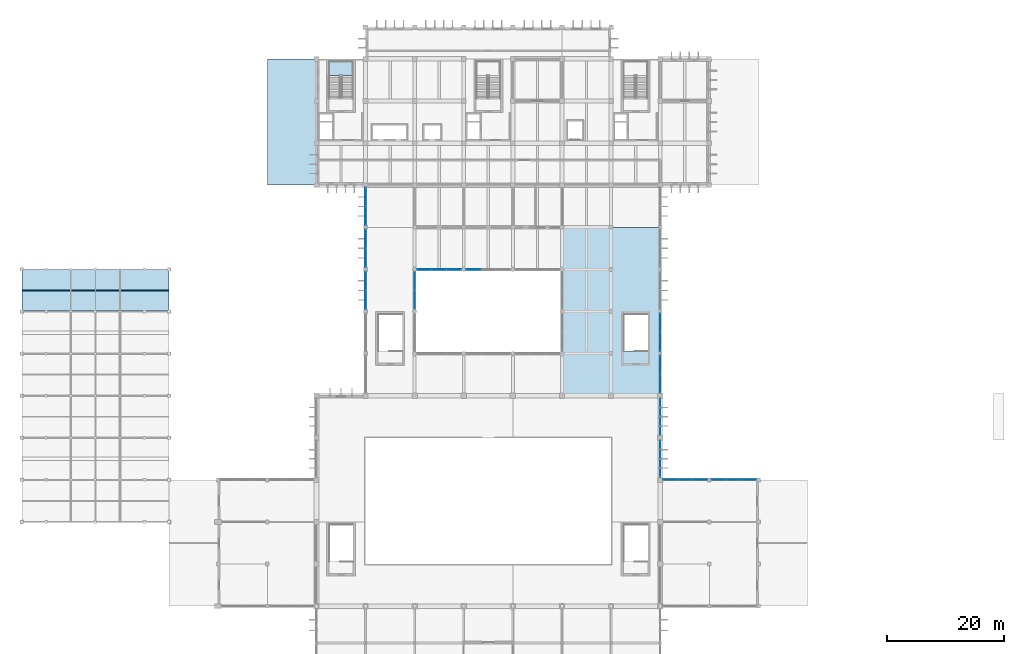
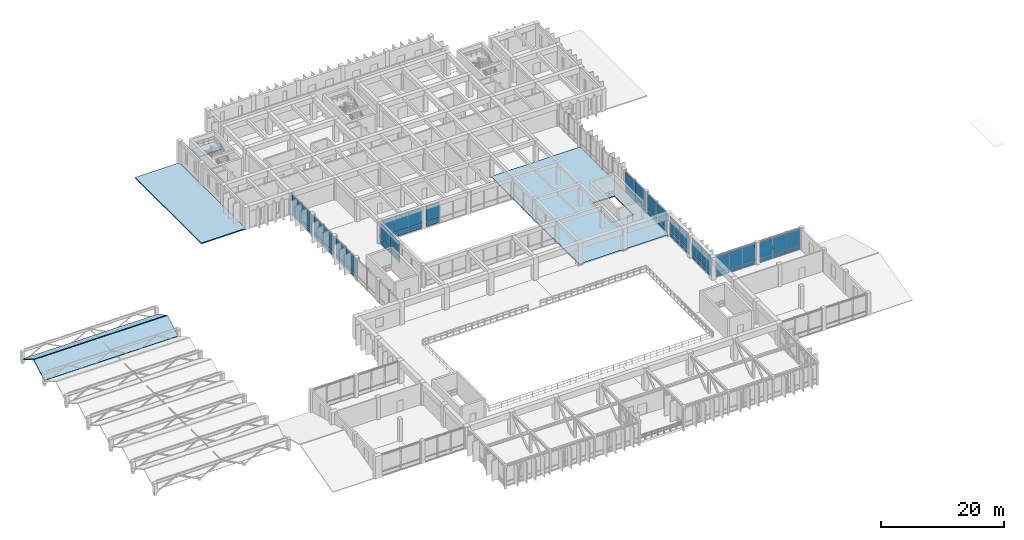
# One storey, part 23 of 40: 52 plates, 5 slabs, 13 elements without a shape of their own.
"""IFC4 building model written with IfcOpenShell, lengths in metres."""

from ifc_helpers import new_model, si_unit, direction, frame, origin, origin_2d, place, context, subcontext, project, spatial, polyline, rectangle, outline, extrude, material, layer, layer_set, type_object, element, aggregate, save


model = new_model("IFC4")

# Units and contexts
model_context = context("Model", 3, precision=1e-05, world=origin(), true_north=direction((0.0, 1.0)))
body_context = subcontext(model_context, "Body", "Model", "MODEL_VIEW")
ifc_project = project(units=[si_unit("LENGTHUNIT", "METRE"), si_unit("AREAUNIT", "SQUARE_METRE"), si_unit("VOLUMEUNIT", "CUBIC_METRE"), si_unit("PLANEANGLEUNIT", "RADIAN"), si_unit("MASSUNIT", "GRAM", prefix="KILO")], contexts=[model_context])

# Site, building, storey
site_placement = place(None, origin())
site = spatial("IfcSite", under=ifc_project, at=site_placement, CompositionType="ELEMENT")
building_placement = place(site_placement, origin())
building = spatial("IfcBuilding", under=site, at=building_placement, Name="Kenerak Square Central Library", CompositionType="ELEMENT")
storey_placement = place(building_placement, frame((0.0, 0.0, 14.39990234375)))
storey = spatial("IfcBuildingStorey", under=building, at=storey_placement, Name="L03", CompositionType="ELEMENT", Elevation=14.39990234375)

# Curtain wall, plates
ifc_material_1 = material(Name="Intumescent fire-resisting glazing EI 60", Category="glass")
curtain_wall_type_1 = type_object("IfcCurtainWallType", Name="Curtain Wall CW-AT60-76x42 7650x4230", PredefinedType="USERDEFINED", material=ifc_material_1)
curtain_wall_1_placement = place(storey_placement, origin())
curtain_wall_1 = element("IfcCurtainWall", 1, at=curtain_wall_1_placement, inside=storey, type_object=curtain_wall_type_1, Name="Atrium Fire-Rated Glazed Screen CW-AT60-76x42 L03 0173", ObjectType="CURTAIN WALL", PredefinedType="USERDEFINED")
ifc_layer_1 = layer(ifc_material_1, 0.0419921875)
ifc_layer_set_1 = layer_set([ifc_layer_1], Name="Intumescent fire-resisting glazing EI 60")
plate_type_1 = type_object("IfcPlateType", Name="Fire-Rated EI60 Atrium Glazing Panel CP-42", PredefinedType="CURTAIN_PANEL", material=ifc_layer_set_1)
plate_1_placement = place(storey_placement, frame((85.267578125, 74.39990234375, 0.06982421875), z_axis=(0.0, 0.0, 1.0), x_axis=(-1.0, 0.0, 0.0)))
plate_1 = element("IfcPlate", 2, at=plate_1_placement, type_object=plate_type_1, Name="CW-AT60-76x42 Panel 3.1", PredefinedType="CURTAIN_PANEL", context=body_context, shape_type="SweptSolid", body=[
    extrude(rectangle(XDim=2.445068359375, YDim=0.0419921875, at=origin_2d()), origin(), (0.0, 0.0, 1.0), 0.945068359375),
])
plate_2_placement = place(storey_placement, frame((85.267578125, 74.39990234375, 1.0849609375), z_axis=(0.0, 0.0, 1.0), x_axis=(-1.0, 0.0, 0.0)))
plate_2 = element("IfcPlate", 3, at=plate_2_placement, type_object=plate_type_1, Name="CW-AT60-76x42 Panel 3.2", PredefinedType="CURTAIN_PANEL", context=body_context, shape_type="SweptSolid", body=[
    extrude(rectangle(XDim=2.445068359375, YDim=0.0419921875, at=origin_2d()), origin(), (0.0, 0.0, 1.0), 3.074951171875),
])
aggregate(curtain_wall_1, [plate_1, plate_2])

curtain_wall_2_placement = place(storey_placement, origin())
curtain_wall_2 = element("IfcCurtainWall", 4, at=curtain_wall_2_placement, inside=storey, type_object=curtain_wall_type_1, Name="Atrium Fire-Rated Glazed Screen CW-AT60-76x42 L03 0174", ObjectType="CURTAIN WALL", PredefinedType="USERDEFINED")
plate_3_placement = place(storey_placement, frame((81.9326171875, 74.39990234375, 0.06982421875), z_axis=(0.0, 0.0, 1.0), x_axis=(-1.0, 0.0, 0.0)))
plate_3 = element("IfcPlate", 5, at=plate_3_placement, type_object=plate_type_1, Name="CW-AT60-76x42 Panel 1.1", PredefinedType="CURTAIN_PANEL", context=body_context, shape_type="SweptSolid", body=[
    extrude(rectangle(XDim=2.445068359375, YDim=0.0419921875, at=origin_2d()), origin(), (0.0, 0.0, 1.0), 0.945068359375),
])
plate_4_placement = place(storey_placement, frame((81.9326171875, 74.39990234375, 1.0849609375), z_axis=(0.0, 0.0, 1.0), x_axis=(-1.0, 0.0, 0.0)))
plate_4 = element("IfcPlate", 6, at=plate_4_placement, type_object=plate_type_1, Name="CW-AT60-76x42 Panel 1.2", PredefinedType="CURTAIN_PANEL", context=body_context, shape_type="SweptSolid", body=[
    extrude(rectangle(XDim=2.445068359375, YDim=0.0419921875, at=origin_2d()), origin(), (0.0, 0.0, 1.0), 3.074951171875),
])
plate_5_placement = place(storey_placement, frame((79.39990234375, 74.39990234375, 0.06982421875), z_axis=(0.0, 0.0, 1.0), x_axis=(-1.0, 0.0, 0.0)))
plate_5 = element("IfcPlate", 7, at=plate_5_placement, type_object=plate_type_1, Name="CW-AT60-76x42 Panel 2.1", PredefinedType="CURTAIN_PANEL", context=body_context, shape_type="SweptSolid", body=[
    extrude(rectangle(XDim=2.47998046875, YDim=0.0419921875, at=origin_2d()), origin(), (0.0, 0.0, 1.0), 0.945068359375),
])
plate_6_placement = place(storey_placement, frame((79.39990234375, 74.39990234375, 1.0849609375), z_axis=(0.0, 0.0, 1.0), x_axis=(-1.0, 0.0, 0.0)))
plate_6 = element("IfcPlate", 8, at=plate_6_placement, type_object=plate_type_1, Name="CW-AT60-76x42 Panel 2.2", PredefinedType="CURTAIN_PANEL", context=body_context, shape_type="SweptSolid", body=[
    extrude(rectangle(XDim=2.47998046875, YDim=0.0419921875, at=origin_2d()), origin(), (0.0, 0.0, 1.0), 3.074951171875),
])
plate_7_placement = place(storey_placement, frame((76.867431640625, 74.39990234375, 0.06982421875), z_axis=(0.0, 0.0, 1.0), x_axis=(-1.0, 0.0, 0.0)))
plate_7 = element("IfcPlate", 9, at=plate_7_placement, type_object=plate_type_1, Name="CW-AT60-76x42 Panel 3.1", PredefinedType="CURTAIN_PANEL", context=body_context, shape_type="SweptSolid", body=[
    extrude(rectangle(XDim=2.445068359375, YDim=0.0419921875, at=origin_2d()), origin(), (0.0, 0.0, 1.0), 0.945068359375),
])
plate_8_placement = place(storey_placement, frame((76.867431640625, 74.39990234375, 1.0849609375), z_axis=(0.0, 0.0, 1.0), x_axis=(-1.0, 0.0, 0.0)))
plate_8 = element("IfcPlate", 10, at=plate_8_placement, type_object=plate_type_1, Name="CW-AT60-76x42 Panel 3.2", PredefinedType="CURTAIN_PANEL", context=body_context, shape_type="SweptSolid", body=[
    extrude(rectangle(XDim=2.445068359375, YDim=0.0419921875, at=origin_2d()), origin(), (0.0, 0.0, 1.0), 3.074951171875),
])
aggregate(curtain_wall_2, [plate_3, plate_4, plate_5, plate_6, plate_7, plate_8])

curtain_wall_type_2 = type_object("IfcCurtainWallType", Name="Curtain Wall CW-AT60-64x42 6450x4230", PredefinedType="USERDEFINED", material=ifc_material_1)
curtain_wall_3_placement = place(storey_placement, origin())
curtain_wall_3 = element("IfcCurtainWall", 11, at=curtain_wall_3_placement, inside=storey, type_object=curtain_wall_type_2, Name="Atrium Fire-Rated Glazed Screen CW-AT60-64x42 L03 0175", ObjectType="CURTAIN WALL", PredefinedType="USERDEFINED")
plate_9_placement = place(storey_placement, frame((75.199951171875, 72.39501953125, 0.06982421875), z_axis=(0.0, 0.0, 1.0), x_axis=(0.0, -1.0, 0.0)))
plate_9 = element("IfcPlate", 12, at=plate_9_placement, type_object=plate_type_1, Name="CW-AT60-64x42 Panel 1.1", PredefinedType="CURTAIN_PANEL", context=body_context, shape_type="SweptSolid", body=[
    extrude(rectangle(XDim=3.1201171875, YDim=0.0419921875, at=origin_2d()), origin(), (0.0, 0.0, 1.0), 0.945068359375),
])
plate_10_placement = place(storey_placement, frame((75.199951171875, 72.39501953125, 1.0849609375), z_axis=(0.0, 0.0, 1.0), x_axis=(0.0, -1.0, 0.0)))
plate_10 = element("IfcPlate", 13, at=plate_10_placement, type_object=plate_type_1, Name="CW-AT60-64x42 Panel 1.2", PredefinedType="CURTAIN_PANEL", context=body_context, shape_type="SweptSolid", body=[
    extrude(rectangle(XDim=3.1201171875, YDim=0.0419921875, at=origin_2d()), origin(), (0.0, 0.0, 1.0), 3.074951171875),
])
plate_11_placement = place(storey_placement, frame((75.199951171875, 69.205078125, 0.06982421875), z_axis=(0.0, 0.0, 1.0), x_axis=(0.0, -1.0, 0.0)))
plate_11 = element("IfcPlate", 14, at=plate_11_placement, type_object=plate_type_1, Name="CW-AT60-64x42 Panel 2.1", PredefinedType="CURTAIN_PANEL", context=body_context, shape_type="SweptSolid", body=[
    extrude(rectangle(XDim=3.1201171875, YDim=0.0419921875, at=origin_2d()), origin(), (0.0, 0.0, 1.0), 0.945068359375),
])
plate_12_placement = place(storey_placement, frame((75.199951171875, 69.205078125, 1.0849609375), z_axis=(0.0, 0.0, 1.0), x_axis=(0.0, -1.0, 0.0)))
plate_12 = element("IfcPlate", 15, at=plate_12_placement, type_object=plate_type_1, Name="CW-AT60-64x42 Panel 2.2", PredefinedType="CURTAIN_PANEL", context=body_context, shape_type="SweptSolid", body=[
    extrude(rectangle(XDim=3.1201171875, YDim=0.0419921875, at=origin_2d()), origin(), (0.0, 0.0, 1.0), 3.074951171875),
])
aggregate(curtain_wall_3, [plate_9, plate_10, plate_11, plate_12])

# Slabs
ifc_material_2 = material(Name="Concrete C40/50", Category="concrete")
ifc_layer_2 = layer(ifc_material_2, 0.22509765625)
ifc_layer_set_2 = layer_set([ifc_layer_2], Name="Concrete C40/50")
slab_type_1 = type_object("IfcSlabType", Name="General Reading Room Slab FS-225 C40/50", PredefinedType="FLOOR", material=ifc_layer_set_2)
slab_1_placement = place(storey_placement, frame((0.0, 0.0, -0.224853515625)))
element("IfcSlab", 16, at=slab_1_placement, inside=storey, type_object=slab_type_1, Name="V4 Floor Slab L03 050", PredefinedType="FLOOR", context=body_context, shape_type="SweptSolid", body=[
    extrude(outline(polyline([(100.39990234375, 81.60009765625), (117.199951171875, 81.60009765625), (117.199951171875, 52.800048828125), (100.39990234375, 52.800048828125), (100.39990234375, 60.0), (100.39990234375, 74.39990234375), (100.39990234375, 81.60009765625)]), holes=[polyline([(115.080078125, 60.449951171875), (115.080078125, 66.800048828125), (110.919921875, 66.800048828125), (110.919921875, 60.449951171875), (115.080078125, 60.449951171875)])]), origin(), (0.0, 0.0, 1.0), 0.224853515625),
])
ifc_layer_3 = layer(ifc_material_2, 0.199951171875)
ifc_layer_set_3 = layer_set([ifc_layer_3], Name="Concrete C40/50")
slab_type_2 = type_object("IfcSlabType", Name="Heavyweight Stack Flat Roof Slab RS-200 C40/50", PredefinedType="ROOF", material=ifc_layer_set_3)
slab_2_placement = place(storey_placement, frame((0.0, 0.0, -0.199951171875)))
element("IfcSlab", 17, at=slab_2_placement, inside=storey, type_object=slab_type_2, Name="Stepped Stack Roof V5-L03-W", PredefinedType="ROOF", context=body_context, shape_type="SweptSolid", body=[
    extrude(outline(polyline([(50.0, 88.800048828125), (58.35009765625, 88.800048828125), (58.35009765625, 110.39990234375), (50.0, 110.39990234375), (50.0, 88.800048828125)])), origin(), (0.0, 0.0, 1.0), 0.199951171875),
])

# Curtain wall, plates
ifc_material_3 = material(Name="Anodised aluminium and solar-control low-E glazing", Category="aluminium")
curtain_wall_type_3 = type_object("IfcCurtainWallType", Name="Curtain Wall CW-V4-65x42 6550x4230", PredefinedType="USERDEFINED", material=ifc_material_3)
curtain_wall_4_placement = place(storey_placement, origin())
curtain_wall_4 = element("IfcCurtainWall", 18, at=curtain_wall_4_placement, inside=storey, type_object=curtain_wall_type_3, Name="Curtain Wall CW-V4-65x42 L03 0113", ObjectType="CURTAIN WALL", PredefinedType="USERDEFINED")
ifc_material_4 = material(Name="Solar-control low-E laminated double glazing", Category="glass")
ifc_layer_4 = layer(ifc_material_4, 0.02392578125)
ifc_layer_set_4 = layer_set([ifc_layer_4], Name="Solar-control low-E laminated double glazing")
plate_type_2 = type_object("IfcPlateType", Name="Low-E Double Glazed Curtain Panel CP-24", PredefinedType="CURTAIN_PANEL", material=ifc_layer_set_4)
plate_13_placement = place(storey_placement, frame((66.800048828125, 69.1787109375, 0.06494140625), z_axis=(0.0, 0.0, 1.0), x_axis=(0.0, 1.0, 0.0)))
plate_13 = element("IfcPlate", 19, at=plate_13_placement, type_object=plate_type_2, Name="CW-V4-65x42 Panel 1.1", PredefinedType="CURTAIN_PANEL", context=body_context, shape_type="SweptSolid", body=[
    extrude(rectangle(XDim=3.177490234375, YDim=0.02392578125, at=origin_2d()), origin(), (0.0, 0.0, 1.0), 0.802490234375),
])
plate_14_placement = place(storey_placement, frame((66.800048828125, 69.1787109375, 0.9326171875), z_axis=(0.0, 0.0, 1.0), x_axis=(0.0, 1.0, 0.0)))
plate_14 = element("IfcPlate", 20, at=plate_14_placement, type_object=plate_type_2, Name="CW-V4-65x42 Panel 1.2", PredefinedType="CURTAIN_PANEL", context=body_context, shape_type="SweptSolid", body=[
    extrude(rectangle(XDim=3.177490234375, YDim=0.02392578125, at=origin_2d()), origin(), (0.0, 0.0, 1.0), 3.232421875),
])
plate_15_placement = place(storey_placement, frame((66.800048828125, 72.421142578125, 0.06494140625), z_axis=(0.0, 0.0, 1.0), x_axis=(0.0, 1.0, 0.0)))
plate_15 = element("IfcPlate", 21, at=plate_15_placement, type_object=plate_type_2, Name="CW-V4-65x42 Panel 2.1", PredefinedType="CURTAIN_PANEL", context=body_context, shape_type="SweptSolid", body=[
    extrude(rectangle(XDim=3.177490234375, YDim=0.02392578125, at=origin_2d()), origin(), (0.0, 0.0, 1.0), 0.802490234375),
])
plate_16_placement = place(storey_placement, frame((66.800048828125, 72.421142578125, 0.9326171875), z_axis=(0.0, 0.0, 1.0), x_axis=(0.0, 1.0, 0.0)))
plate_16 = element("IfcPlate", 22, at=plate_16_placement, type_object=plate_type_2, Name="CW-V4-65x42 Panel 2.2", PredefinedType="CURTAIN_PANEL", context=body_context, shape_type="SweptSolid", body=[
    extrude(rectangle(XDim=3.177490234375, YDim=0.02392578125, at=origin_2d()), origin(), (0.0, 0.0, 1.0), 3.232421875),
])
aggregate(curtain_wall_4, [plate_13, plate_14, plate_15, plate_16])

curtain_wall_5_placement = place(storey_placement, origin())
curtain_wall_5 = element("IfcCurtainWall", 23, at=curtain_wall_5_placement, inside=storey, type_object=curtain_wall_type_3, Name="Curtain Wall CW-V4-65x42 L03 0114", ObjectType="CURTAIN WALL", PredefinedType="USERDEFINED")
plate_17_placement = place(storey_placement, frame((66.800048828125, 76.378662109375, 0.06494140625), z_axis=(0.0, 0.0, 1.0), x_axis=(0.0, 1.0, 0.0)))
plate_17 = element("IfcPlate", 24, at=plate_17_placement, type_object=plate_type_2, Name="CW-V4-65x42 Panel 1.1", PredefinedType="CURTAIN_PANEL", context=body_context, shape_type="SweptSolid", body=[
    extrude(rectangle(XDim=3.177490234375, YDim=0.02392578125, at=origin_2d()), origin(), (0.0, 0.0, 1.0), 0.802490234375),
])
plate_18_placement = place(storey_placement, frame((66.800048828125, 76.378662109375, 0.9326171875), z_axis=(0.0, 0.0, 1.0), x_axis=(0.0, 1.0, 0.0)))
plate_18 = element("IfcPlate", 25, at=plate_18_placement, type_object=plate_type_2, Name="CW-V4-65x42 Panel 1.2", PredefinedType="CURTAIN_PANEL", context=body_context, shape_type="SweptSolid", body=[
    extrude(rectangle(XDim=3.177490234375, YDim=0.02392578125, at=origin_2d()), origin(), (0.0, 0.0, 1.0), 3.232421875),
])
plate_19_placement = place(storey_placement, frame((66.800048828125, 79.621337890625, 0.06494140625), z_axis=(0.0, 0.0, 1.0), x_axis=(0.0, 1.0, 0.0)))
plate_19 = element("IfcPlate", 26, at=plate_19_placement, type_object=plate_type_2, Name="CW-V4-65x42 Panel 2.1", PredefinedType="CURTAIN_PANEL", context=body_context, shape_type="SweptSolid", body=[
    extrude(rectangle(XDim=3.177490234375, YDim=0.02392578125, at=origin_2d()), origin(), (0.0, 0.0, 1.0), 0.802490234375),
])
plate_20_placement = place(storey_placement, frame((66.800048828125, 79.621337890625, 0.9326171875), z_axis=(0.0, 0.0, 1.0), x_axis=(0.0, 1.0, 0.0)))
plate_20 = element("IfcPlate", 27, at=plate_20_placement, type_object=plate_type_2, Name="CW-V4-65x42 Panel 2.2", PredefinedType="CURTAIN_PANEL", context=body_context, shape_type="SweptSolid", body=[
    extrude(rectangle(XDim=3.177490234375, YDim=0.02392578125, at=origin_2d()), origin(), (0.0, 0.0, 1.0), 3.232421875),
])
aggregate(curtain_wall_5, [plate_17, plate_18, plate_19, plate_20])

curtain_wall_type_4 = type_object("IfcCurtainWallType", Name="Curtain Wall CW-V4-64x42 6475x4230", PredefinedType="USERDEFINED", material=ifc_material_3)
curtain_wall_6_placement = place(storey_placement, origin())
curtain_wall_6 = element("IfcCurtainWall", 28, at=curtain_wall_6_placement, inside=storey, type_object=curtain_wall_type_4, Name="Curtain Wall CW-V4-64x42 L03 0115", ObjectType="CURTAIN WALL", PredefinedType="USERDEFINED")
plate_21_placement = place(storey_placement, frame((66.800048828125, 83.56005859375, 0.06494140625), z_axis=(0.0, 0.0, 1.0), x_axis=(0.0, 1.0, 0.0)))
plate_21 = element("IfcPlate", 29, at=plate_21_placement, type_object=plate_type_2, Name="CW-V4-64x42 Panel 1.1", PredefinedType="CURTAIN_PANEL", context=body_context, shape_type="SweptSolid", body=[
    extrude(rectangle(XDim=3.139892578125, YDim=0.02392578125, at=origin_2d()), origin(), (0.0, 0.0, 1.0), 0.802490234375),
])
plate_22_placement = place(storey_placement, frame((66.800048828125, 83.56005859375, 0.9326171875), z_axis=(0.0, 0.0, 1.0), x_axis=(0.0, 1.0, 0.0)))
plate_22 = element("IfcPlate", 30, at=plate_22_placement, type_object=plate_type_2, Name="CW-V4-64x42 Panel 1.2", PredefinedType="CURTAIN_PANEL", context=body_context, shape_type="SweptSolid", body=[
    extrude(rectangle(XDim=3.139892578125, YDim=0.02392578125, at=origin_2d()), origin(), (0.0, 0.0, 1.0), 3.232421875),
])
plate_23_placement = place(storey_placement, frame((66.800048828125, 86.764892578125, 0.06494140625), z_axis=(0.0, 0.0, 1.0), x_axis=(0.0, 1.0, 0.0)))
plate_23 = element("IfcPlate", 31, at=plate_23_placement, type_object=plate_type_2, Name="CW-V4-64x42 Panel 2.1", PredefinedType="CURTAIN_PANEL", context=body_context, shape_type="SweptSolid", body=[
    extrude(rectangle(XDim=3.139892578125, YDim=0.02392578125, at=origin_2d()), origin(), (0.0, 0.0, 1.0), 0.802490234375),
])
plate_24_placement = place(storey_placement, frame((66.800048828125, 86.764892578125, 0.9326171875), z_axis=(0.0, 0.0, 1.0), x_axis=(0.0, 1.0, 0.0)))
plate_24 = element("IfcPlate", 32, at=plate_24_placement, type_object=plate_type_2, Name="CW-V4-64x42 Panel 2.2", PredefinedType="CURTAIN_PANEL", context=body_context, shape_type="SweptSolid", body=[
    extrude(rectangle(XDim=3.139892578125, YDim=0.02392578125, at=origin_2d()), origin(), (0.0, 0.0, 1.0), 3.232421875),
])
aggregate(curtain_wall_6, [plate_21, plate_22, plate_23, plate_24])

curtain_wall_7_placement = place(storey_placement, origin())
curtain_wall_7 = element("IfcCurtainWall", 33, at=curtain_wall_7_placement, inside=storey, type_object=curtain_wall_type_3, Name="Curtain Wall CW-V4-65x42 L03 0119", ObjectType="CURTAIN WALL", PredefinedType="USERDEFINED")
plate_25_placement = place(storey_placement, frame((117.199951171875, 65.22119140625, 0.06494140625), z_axis=(0.0, 0.0, 1.0), x_axis=(0.0, -1.0, 0.0)))
plate_25 = element("IfcPlate", 34, at=plate_25_placement, type_object=plate_type_2, Name="CW-V4-65x42 Panel 1.1", PredefinedType="CURTAIN_PANEL", context=body_context, shape_type="SweptSolid", body=[
    extrude(rectangle(XDim=3.177490234375, YDim=0.02392578125, at=origin_2d()), origin(), (0.0, 0.0, 1.0), 0.802490234375),
])
plate_26_placement = place(storey_placement, frame((117.199951171875, 65.22119140625, 0.9326171875), z_axis=(0.0, 0.0, 1.0), x_axis=(0.0, -1.0, 0.0)))
plate_26 = element("IfcPlate", 35, at=plate_26_placement, type_object=plate_type_2, Name="CW-V4-65x42 Panel 1.2", PredefinedType="CURTAIN_PANEL", context=body_context, shape_type="SweptSolid", body=[
    extrude(rectangle(XDim=3.177490234375, YDim=0.02392578125, at=origin_2d()), origin(), (0.0, 0.0, 1.0), 3.232421875),
])
plate_27_placement = place(storey_placement, frame((117.199951171875, 61.978759765625, 0.06494140625), z_axis=(0.0, 0.0, 1.0), x_axis=(0.0, -1.0, 0.0)))
plate_27 = element("IfcPlate", 36, at=plate_27_placement, type_object=plate_type_2, Name="CW-V4-65x42 Panel 2.1", PredefinedType="CURTAIN_PANEL", context=body_context, shape_type="SweptSolid", body=[
    extrude(rectangle(XDim=3.177490234375, YDim=0.02392578125, at=origin_2d()), origin(), (0.0, 0.0, 1.0), 0.802490234375),
])
plate_28_placement = place(storey_placement, frame((117.199951171875, 61.978759765625, 0.9326171875), z_axis=(0.0, 0.0, 1.0), x_axis=(0.0, -1.0, 0.0)))
plate_28 = element("IfcPlate", 37, at=plate_28_placement, type_object=plate_type_2, Name="CW-V4-65x42 Panel 2.2", PredefinedType="CURTAIN_PANEL", context=body_context, shape_type="SweptSolid", body=[
    extrude(rectangle(XDim=3.177490234375, YDim=0.02392578125, at=origin_2d()), origin(), (0.0, 0.0, 1.0), 3.232421875),
])
aggregate(curtain_wall_7, [plate_25, plate_26, plate_27, plate_28])

curtain_wall_type_5 = type_object("IfcCurtainWallType", Name="Curtain Wall CW-V4-64x42 6425x4230", PredefinedType="USERDEFINED", material=ifc_material_3)
curtain_wall_8_placement = place(storey_placement, origin())
curtain_wall_8 = element("IfcCurtainWall", 38, at=curtain_wall_8_placement, inside=storey, type_object=curtain_wall_type_5, Name="Curtain Wall CW-V4-64x42 L03 0120", ObjectType="CURTAIN WALL", PredefinedType="USERDEFINED")
plate_29_placement = place(storey_placement, frame((117.199951171875, 58.052490234375, 0.06494140625), z_axis=(0.0, 0.0, 1.0), x_axis=(0.0, -1.0, 0.0)))
plate_29 = element("IfcPlate", 39, at=plate_29_placement, type_object=plate_type_2, Name="CW-V4-64x42 Panel 1.1", PredefinedType="CURTAIN_PANEL", context=body_context, shape_type="SweptSolid", body=[
    extrude(rectangle(XDim=3.114990234375, YDim=0.02392578125, at=origin_2d()), origin(), (0.0, 0.0, 1.0), 0.802490234375),
])
plate_30_placement = place(storey_placement, frame((117.199951171875, 58.052490234375, 0.9326171875), z_axis=(0.0, 0.0, 1.0), x_axis=(0.0, -1.0, 0.0)))
plate_30 = element("IfcPlate", 40, at=plate_30_placement, type_object=plate_type_2, Name="CW-V4-64x42 Panel 1.2", PredefinedType="CURTAIN_PANEL", context=body_context, shape_type="SweptSolid", body=[
    extrude(rectangle(XDim=3.114990234375, YDim=0.02392578125, at=origin_2d()), origin(), (0.0, 0.0, 1.0), 3.232421875),
])
plate_31_placement = place(storey_placement, frame((117.199951171875, 54.87255859375, 0.06494140625), z_axis=(0.0, 0.0, 1.0), x_axis=(0.0, -1.0, 0.0)))
plate_31 = element("IfcPlate", 41, at=plate_31_placement, type_object=plate_type_2, Name="CW-V4-64x42 Panel 2.1", PredefinedType="CURTAIN_PANEL", context=body_context, shape_type="SweptSolid", body=[
    extrude(rectangle(XDim=3.114990234375, YDim=0.02392578125, at=origin_2d()), origin(), (0.0, 0.0, 1.0), 0.802490234375),
])
plate_32_placement = place(storey_placement, frame((117.199951171875, 54.87255859375, 0.9326171875), z_axis=(0.0, 0.0, 1.0), x_axis=(0.0, -1.0, 0.0)))
plate_32 = element("IfcPlate", 42, at=plate_32_placement, type_object=plate_type_2, Name="CW-V4-64x42 Panel 2.2", PredefinedType="CURTAIN_PANEL", context=body_context, shape_type="SweptSolid", body=[
    extrude(rectangle(XDim=3.114990234375, YDim=0.02392578125, at=origin_2d()), origin(), (0.0, 0.0, 1.0), 3.232421875),
])
aggregate(curtain_wall_8, [plate_29, plate_30, plate_31, plate_32])

curtain_wall_type_6 = type_object("IfcCurtainWallType", Name="Curtain Wall CW-V6-76x42 7625x4230", PredefinedType="USERDEFINED", material=ifc_material_3)
curtain_wall_9_placement = place(storey_placement, origin())
curtain_wall_9 = element("IfcCurtainWall", 43, at=curtain_wall_9_placement, inside=storey, type_object=curtain_wall_type_6, Name="Curtain Wall CW-V6-76x42 L03 0123", ObjectType="CURTAIN WALL", PredefinedType="USERDEFINED")
plate_33_placement = place(storey_placement, frame((118.93701171875, 38.39990234375, 0.06494140625), z_axis=(0.0, 0.0, 1.0), x_axis=(1.0, 0.0, 0.0)))
plate_33 = element("IfcPlate", 44, at=plate_33_placement, type_object=plate_type_2, Name="CW-V6-76x42 Panel 1.1", PredefinedType="CURTAIN_PANEL", context=body_context, shape_type="SweptSolid", body=[
    extrude(rectangle(XDim=2.444091796875, YDim=0.02392578125, at=origin_2d()), origin(), (0.0, 0.0, 1.0), 0.802490234375),
])
plate_34_placement = place(storey_placement, frame((118.93701171875, 38.39990234375, 0.9326171875), z_axis=(0.0, 0.0, 1.0), x_axis=(1.0, 0.0, 0.0)))
plate_34 = element("IfcPlate", 45, at=plate_34_placement, type_object=plate_type_2, Name="CW-V6-76x42 Panel 1.2", PredefinedType="CURTAIN_PANEL", context=body_context, shape_type="SweptSolid", body=[
    extrude(rectangle(XDim=2.444091796875, YDim=0.02392578125, at=origin_2d()), origin(), (0.0, 0.0, 1.0), 3.232421875),
])
plate_35_placement = place(storey_placement, frame((121.46240234375, 38.39990234375, 0.06494140625), z_axis=(0.0, 0.0, 1.0), x_axis=(1.0, 0.0, 0.0)))
plate_35 = element("IfcPlate", 46, at=plate_35_placement, type_object=plate_type_2, Name="CW-V6-76x42 Panel 2.1", PredefinedType="CURTAIN_PANEL", context=body_context, shape_type="SweptSolid", body=[
    extrude(rectangle(XDim=2.4765625, YDim=0.02392578125, at=origin_2d()), origin(), (0.0, 0.0, 1.0), 0.802490234375),
])
plate_36_placement = place(storey_placement, frame((121.46240234375, 38.39990234375, 0.9326171875), z_axis=(0.0, 0.0, 1.0), x_axis=(1.0, 0.0, 0.0)))
plate_36 = element("IfcPlate", 47, at=plate_36_placement, type_object=plate_type_2, Name="CW-V6-76x42 Panel 2.2", PredefinedType="CURTAIN_PANEL", context=body_context, shape_type="SweptSolid", body=[
    extrude(rectangle(XDim=2.4765625, YDim=0.02392578125, at=origin_2d()), origin(), (0.0, 0.0, 1.0), 3.232421875),
])
plate_37_placement = place(storey_placement, frame((123.988037109375, 38.39990234375, 0.06494140625), z_axis=(0.0, 0.0, 1.0), x_axis=(1.0, 0.0, 0.0)))
plate_37 = element("IfcPlate", 48, at=plate_37_placement, type_object=plate_type_2, Name="CW-V6-76x42 Panel 3.1", PredefinedType="CURTAIN_PANEL", context=body_context, shape_type="SweptSolid", body=[
    extrude(rectangle(XDim=2.444091796875, YDim=0.02392578125, at=origin_2d()), origin(), (0.0, 0.0, 1.0), 0.802490234375),
])
plate_38_placement = place(storey_placement, frame((123.988037109375, 38.39990234375, 0.9326171875), z_axis=(0.0, 0.0, 1.0), x_axis=(1.0, 0.0, 0.0)))
plate_38 = element("IfcPlate", 49, at=plate_38_placement, type_object=plate_type_2, Name="CW-V6-76x42 Panel 3.2", PredefinedType="CURTAIN_PANEL", context=body_context, shape_type="SweptSolid", body=[
    extrude(rectangle(XDim=2.444091796875, YDim=0.02392578125, at=origin_2d()), origin(), (0.0, 0.0, 1.0), 3.232421875),
])
aggregate(curtain_wall_9, [plate_33, plate_34, plate_35, plate_36, plate_37, plate_38])

curtain_wall_type_7 = type_object("IfcCurtainWallType", Name="Curtain Wall CW-V6-77x42 7750x4230", PredefinedType="USERDEFINED", material=ifc_material_3)
curtain_wall_10_placement = place(storey_placement, origin())
curtain_wall_10 = element("IfcCurtainWall", 50, at=curtain_wall_10_placement, inside=storey, type_object=curtain_wall_type_7, Name="Curtain Wall CW-V6-77x42 L03 0124", ObjectType="CURTAIN WALL", PredefinedType="USERDEFINED")
plate_39_placement = place(storey_placement, frame((127.23291015625, 38.39990234375, 0.06494140625), z_axis=(0.0, 0.0, 1.0), x_axis=(1.0, 0.0, 0.0)))
plate_39 = element("IfcPlate", 51, at=plate_39_placement, type_object=plate_type_2, Name="CW-V6-77x42 Panel 1.1", PredefinedType="CURTAIN_PANEL", context=body_context, shape_type="SweptSolid", body=[
    extrude(rectangle(XDim=2.48583984375, YDim=0.02392578125, at=origin_2d()), origin(), (0.0, 0.0, 1.0), 0.802490234375),
])
plate_40_placement = place(storey_placement, frame((127.23291015625, 38.39990234375, 0.9326171875), z_axis=(0.0, 0.0, 1.0), x_axis=(1.0, 0.0, 0.0)))
plate_40 = element("IfcPlate", 52, at=plate_40_placement, type_object=plate_type_2, Name="CW-V6-77x42 Panel 1.2", PredefinedType="CURTAIN_PANEL", context=body_context, shape_type="SweptSolid", body=[
    extrude(rectangle(XDim=2.48583984375, YDim=0.02392578125, at=origin_2d()), origin(), (0.0, 0.0, 1.0), 3.232421875),
])
plate_41_placement = place(storey_placement, frame((129.800048828125, 38.39990234375, 0.06494140625), z_axis=(0.0, 0.0, 1.0), x_axis=(1.0, 0.0, 0.0)))
plate_41 = element("IfcPlate", 53, at=plate_41_placement, type_object=plate_type_2, Name="CW-V6-77x42 Panel 2.1", PredefinedType="CURTAIN_PANEL", context=body_context, shape_type="SweptSolid", body=[
    extrude(rectangle(XDim=2.518310546875, YDim=0.02392578125, at=origin_2d()), origin(), (0.0, 0.0, 1.0), 0.802490234375),
])
plate_42_placement = place(storey_placement, frame((129.800048828125, 38.39990234375, 0.9326171875), z_axis=(0.0, 0.0, 1.0), x_axis=(1.0, 0.0, 0.0)))
plate_42 = element("IfcPlate", 54, at=plate_42_placement, type_object=plate_type_2, Name="CW-V6-77x42 Panel 2.2", PredefinedType="CURTAIN_PANEL", context=body_context, shape_type="SweptSolid", body=[
    extrude(rectangle(XDim=2.518310546875, YDim=0.02392578125, at=origin_2d()), origin(), (0.0, 0.0, 1.0), 3.232421875),
])
plate_43_placement = place(storey_placement, frame((132.3671875, 38.39990234375, 0.06494140625), z_axis=(0.0, 0.0, 1.0), x_axis=(1.0, 0.0, 0.0)))
plate_43 = element("IfcPlate", 55, at=plate_43_placement, type_object=plate_type_2, Name="CW-V6-77x42 Panel 3.1", PredefinedType="CURTAIN_PANEL", context=body_context, shape_type="SweptSolid", body=[
    extrude(rectangle(XDim=2.48583984375, YDim=0.02392578125, at=origin_2d()), origin(), (0.0, 0.0, 1.0), 0.802490234375),
])
plate_44_placement = place(storey_placement, frame((132.3671875, 38.39990234375, 0.9326171875), z_axis=(0.0, 0.0, 1.0), x_axis=(1.0, 0.0, 0.0)))
plate_44 = element("IfcPlate", 56, at=plate_44_placement, type_object=plate_type_2, Name="CW-V6-77x42 Panel 3.2", PredefinedType="CURTAIN_PANEL", context=body_context, shape_type="SweptSolid", body=[
    extrude(rectangle(XDim=2.48583984375, YDim=0.02392578125, at=origin_2d()), origin(), (0.0, 0.0, 1.0), 3.232421875),
])
aggregate(curtain_wall_10, [plate_39, plate_40, plate_41, plate_42, plate_43, plate_44])

# Slabs
ifc_material_5 = material(Name="Precast concrete C40/50", Category="concrete")
ifc_layer_5 = layer(ifc_material_5, 0.179931640625)
ifc_layer_set_5 = layer_set([ifc_layer_5], Name="Precast concrete C40/50")
slab_type_3 = type_object("IfcSlabType", Name="Pitched Standing-Seam Acoustic Roof Deck RS-180 C40/50", PredefinedType="ROOF", material=ifc_layer_set_5)
slab_3_placement = place(storey_placement, frame((8.0, 67.25, 0.4501953125), z_axis=(0.0, -0.499365324853, 0.866391523697), x_axis=(1.0, 0.0, 0.0)))
element("IfcSlab", 57, at=slab_3_placement, inside=storey, type_object=slab_type_3, Name="Auditorium Acoustic Fold Roof 6S", PredefinedType="ROOF", context=body_context, shape_type="SweptSolid", body=[
    extrude(outline(polyline([(0.0, 0.0), (25.199951171875, 0.0), (25.199951171875, 4.005083854371317), (0.0, 4.005083854371317), (0.0, 0.0)])), origin(), (0.0, 0.0, -1.0), 0.179931640625),
])
slab_4_placement = place(storey_placement, frame((8.0, 70.8798828125, 2.4501953125), z_axis=(0.0, 0.499338952924, 0.86640672325), x_axis=(1.0, 0.0, 0.0)))
element("IfcSlab", 58, at=slab_4_placement, inside=storey, type_object=slab_type_3, Name="Auditorium Acoustic Fold Roof 6N", PredefinedType="ROOF", context=body_context, shape_type="SweptSolid", body=[
    extrude(outline(polyline([(0.0, 0.0), (25.199951171875, 0.0), (25.199951171875, 4.005295377594871), (0.0, 4.005295377594871), (0.0, 0.0)])), origin(), (0.0, 0.0, -1.0), 0.179931640625),
])

# Stair, slab
stair_type = type_object("IfcStairType", Name="Exit Dogleg Stair ST-448 C40/50", PredefinedType="HALF_TURN_STAIR", material=ifc_material_2)
stair_placement = place(storey_placement, origin())
stair = element("IfcStair", 59, at=stair_placement, inside=storey, type_object=stair_type, Name="L03 Protected Exit Stair ST-01", PredefinedType="HALF_TURN_STAIR")
ifc_layer_6 = layer(ifc_material_2, 0.199951171875)
ifc_layer_set_6 = layer_set([ifc_layer_6], Name="Concrete C40/50")
slab_type_4 = type_object("IfcSlabType", Name="Stair Half-Landing Slab LD-200 C40/50", PredefinedType="LANDING", material=ifc_layer_set_6)
slab_5_placement = place(storey_placement, frame((0.0, 0.0, 2.0400390625)))
slab_5 = element("IfcSlab", 60, at=slab_5_placement, type_object=slab_type_4, Name="ST-01 Landing 1", PredefinedType="LANDING", context=body_context, shape_type="SweptSolid", body=[
    extrude(outline(polyline([(64.679931640625, 107.550048828125), (64.679931640625, 110.0), (60.52001953125, 110.0), (60.52001953125, 107.550048828125), (64.679931640625, 107.550048828125)])), origin(), (0.0, 0.0, 1.0), 0.199951171875),
])
aggregate(stair, [slab_5])

# Curtain wall, plates
curtain_wall_type_8 = type_object("IfcCurtainWallType", Name="Curtain Wall CW-V1-63x42 6300x4230", PredefinedType="USERDEFINED", material=ifc_material_3)
curtain_wall_11_placement = place(storey_placement, origin())
curtain_wall_11 = element("IfcCurtainWall", 61, at=curtain_wall_11_placement, inside=storey, type_object=curtain_wall_type_8, Name="Curtain Wall CW-V1-63x42 L03 0121", ObjectType="CURTAIN WALL", PredefinedType="USERDEFINED")
ifc_material_6 = material(Name="Triple-laminated solar-control low-E glazing", Category="glass")
ifc_layer_7 = layer(ifc_material_6, 0.031982421875)
ifc_layer_set_7 = layer_set([ifc_layer_7], Name="Triple-laminated solar-control low-E glazing")
plate_type_3 = type_object("IfcPlateType", Name="Triple-Laminated Reading Hall Panel CP-32", PredefinedType="CURTAIN_PANEL", material=ifc_layer_set_7)
plate_45_placement = place(storey_placement, frame((117.199951171875, 50.75634765625, 0.074951171875), z_axis=(0.0, 0.0, 1.0), x_axis=(0.0, -1.0, 0.0)))
plate_45 = element("IfcPlate", 62, at=plate_45_placement, type_object=plate_type_3, Name="CW-V1-63x42 Panel 1.1", PredefinedType="CURTAIN_PANEL", context=body_context, shape_type="SweptSolid", body=[
    extrude(rectangle(XDim=3.03759765625, YDim=0.031982421875, at=origin_2d()), origin(), (0.0, 0.0, 1.0), 0.78759765625),
])
plate_46_placement = place(storey_placement, frame((117.199951171875, 50.75634765625, 0.9375), z_axis=(0.0, 0.0, 1.0), x_axis=(0.0, -1.0, 0.0)))
plate_46 = element("IfcPlate", 63, at=plate_46_placement, type_object=plate_type_3, Name="CW-V1-63x42 Panel 1.2", PredefinedType="CURTAIN_PANEL", context=body_context, shape_type="SweptSolid", body=[
    extrude(rectangle(XDim=3.03759765625, YDim=0.031982421875, at=origin_2d()), origin(), (0.0, 0.0, 1.0), 3.217529296875),
])
plate_47_placement = place(storey_placement, frame((117.199951171875, 47.643798828125, 0.074951171875), z_axis=(0.0, 0.0, 1.0), x_axis=(0.0, -1.0, 0.0)))
plate_47 = element("IfcPlate", 64, at=plate_47_placement, type_object=plate_type_3, Name="CW-V1-63x42 Panel 2.1", PredefinedType="CURTAIN_PANEL", context=body_context, shape_type="SweptSolid", body=[
    extrude(rectangle(XDim=3.03759765625, YDim=0.031982421875, at=origin_2d()), origin(), (0.0, 0.0, 1.0), 0.78759765625),
])
plate_48_placement = place(storey_placement, frame((117.199951171875, 47.643798828125, 0.9375), z_axis=(0.0, 0.0, 1.0), x_axis=(0.0, -1.0, 0.0)))
plate_48 = element("IfcPlate", 65, at=plate_48_placement, type_object=plate_type_3, Name="CW-V1-63x42 Panel 2.2", PredefinedType="CURTAIN_PANEL", context=body_context, shape_type="SweptSolid", body=[
    extrude(rectangle(XDim=3.03759765625, YDim=0.031982421875, at=origin_2d()), origin(), (0.0, 0.0, 1.0), 3.217529296875),
])
aggregate(curtain_wall_11, [plate_45, plate_46, plate_47, plate_48])

curtain_wall_12_placement = place(storey_placement, origin())
curtain_wall_12 = element("IfcCurtainWall", 66, at=curtain_wall_12_placement, inside=storey, type_object=curtain_wall_type_8, Name="Curtain Wall CW-V1-63x42 L03 0122", ObjectType="CURTAIN WALL", PredefinedType="USERDEFINED")
plate_49_placement = place(storey_placement, frame((117.199951171875, 43.55615234375, 0.074951171875), z_axis=(0.0, 0.0, 1.0), x_axis=(0.0, -1.0, 0.0)))
plate_49 = element("IfcPlate", 67, at=plate_49_placement, type_object=plate_type_3, Name="CW-V1-63x42 Panel 1.1", PredefinedType="CURTAIN_PANEL", context=body_context, shape_type="SweptSolid", body=[
    extrude(rectangle(XDim=3.03759765625, YDim=0.031982421875, at=origin_2d()), origin(), (0.0, 0.0, 1.0), 0.78759765625),
])
plate_50_placement = place(storey_placement, frame((117.199951171875, 43.55615234375, 0.9375), z_axis=(0.0, 0.0, 1.0), x_axis=(0.0, -1.0, 0.0)))
plate_50 = element("IfcPlate", 68, at=plate_50_placement, type_object=plate_type_3, Name="CW-V1-63x42 Panel 1.2", PredefinedType="CURTAIN_PANEL", context=body_context, shape_type="SweptSolid", body=[
    extrude(rectangle(XDim=3.03759765625, YDim=0.031982421875, at=origin_2d()), origin(), (0.0, 0.0, 1.0), 3.217529296875),
])
plate_51_placement = place(storey_placement, frame((117.199951171875, 40.44384765625, 0.074951171875), z_axis=(0.0, 0.0, 1.0), x_axis=(0.0, -1.0, 0.0)))
plate_51 = element("IfcPlate", 69, at=plate_51_placement, type_object=plate_type_3, Name="CW-V1-63x42 Panel 2.1", PredefinedType="CURTAIN_PANEL", context=body_context, shape_type="SweptSolid", body=[
    extrude(rectangle(XDim=3.03759765625, YDim=0.031982421875, at=origin_2d()), origin(), (0.0, 0.0, 1.0), 0.78759765625),
])
plate_52_placement = place(storey_placement, frame((117.199951171875, 40.44384765625, 0.9375), z_axis=(0.0, 0.0, 1.0), x_axis=(0.0, -1.0, 0.0)))
plate_52 = element("IfcPlate", 70, at=plate_52_placement, type_object=plate_type_3, Name="CW-V1-63x42 Panel 2.2", PredefinedType="CURTAIN_PANEL", context=body_context, shape_type="SweptSolid", body=[
    extrude(rectangle(XDim=3.03759765625, YDim=0.031982421875, at=origin_2d()), origin(), (0.0, 0.0, 1.0), 3.217529296875),
])
aggregate(curtain_wall_12, [plate_49, plate_50, plate_51, plate_52])

save(model, "model.ifc")
